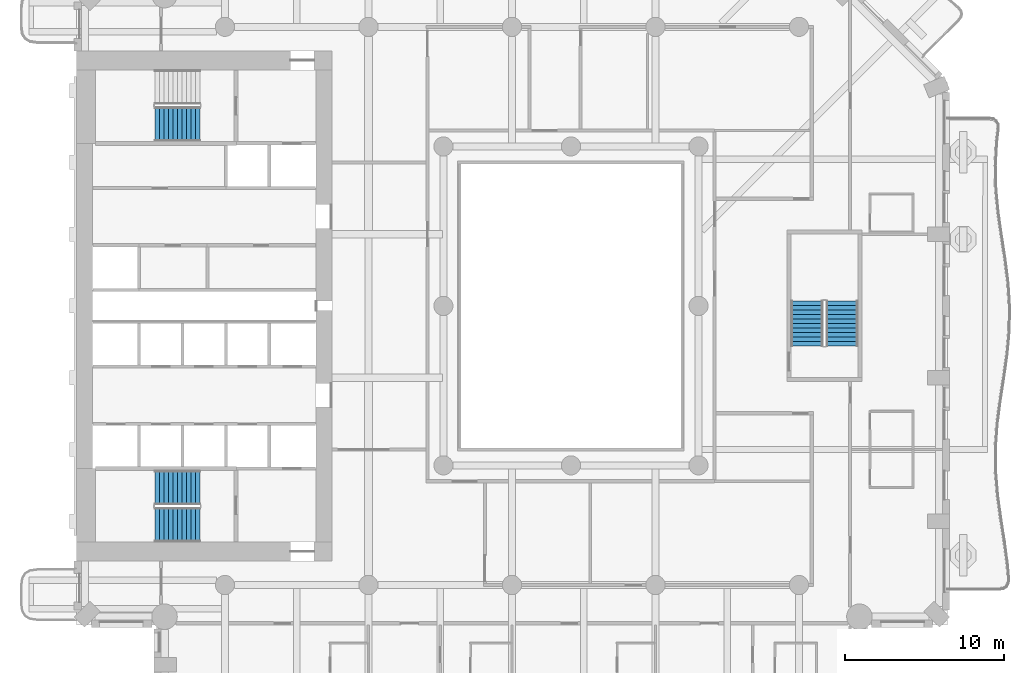
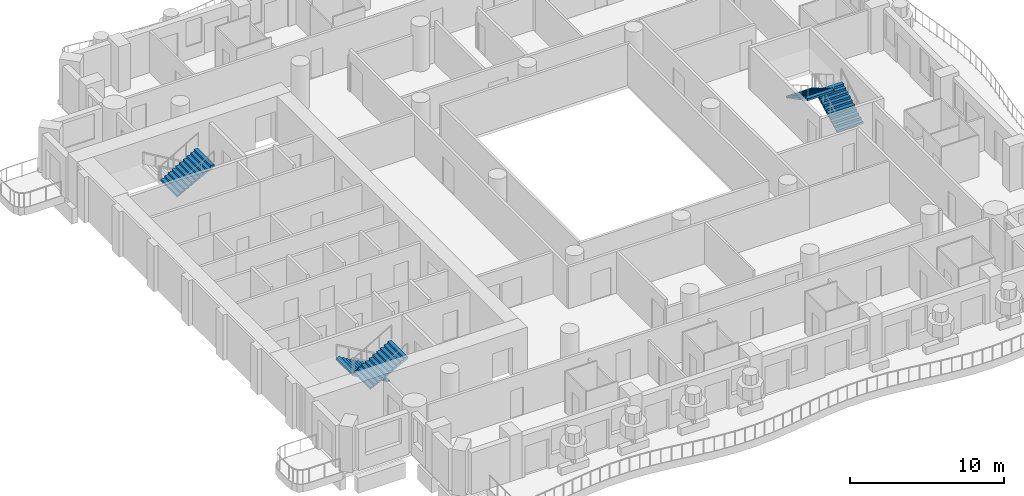
# One storey, part 10 of 19: 5 stair flights, 3 elements without a shape of their own.
"""IFC4 building model written with IfcOpenShell, lengths in metres."""

from ifc_helpers import new_model, si_unit, direction, frame, origin, place, context, subcontext, project, spatial, triangles, material, type_object, element, aggregate, save


model = new_model("IFC4")

# Units and contexts
model_context = context("Model", 3, precision=1e-05, world=origin(), true_north=direction((0.0, 1.0)))
body_context = subcontext(model_context, "Body", "Model", "MODEL_VIEW")
ifc_project = project(units=[si_unit("LENGTHUNIT", "METRE"), si_unit("AREAUNIT", "SQUARE_METRE"), si_unit("VOLUMEUNIT", "CUBIC_METRE"), si_unit("PLANEANGLEUNIT", "RADIAN"), si_unit("MASSUNIT", "GRAM", prefix="KILO")], contexts=[model_context])

# Site, building, storey
site_placement = place(None, origin())
site = spatial("IfcSite", under=ifc_project, at=site_placement, CompositionType="ELEMENT")
building_placement = place(site_placement, origin())
building = spatial("IfcBuilding", under=site, at=building_placement, Name="Cypress Arch Tower", CompositionType="ELEMENT")
storey_placement = place(building_placement, frame((0.0, 0.0, 98.699951171875)))
storey = spatial("IfcBuildingStorey", under=building, at=storey_placement, Name="L19", CompositionType="ELEMENT", Elevation=98.699951171875)

# Stair, stair flights
ifc_material_1 = material(Name="Concrete C40/50", Category="concrete")
stair_type_1 = type_object("IfcStairType", Name="Exit stair ES1636-200", PredefinedType="HALF_TURN_STAIR", material=ifc_material_1)
stair_1_placement = place(storey_placement, origin())
stair_1 = element("IfcStair", 1, at=stair_1_placement, inside=storey, type_object=stair_type_1, Name="L19 Exit stair C", PredefinedType="HALF_TURN_STAIR")
ifc_material_2 = material(Name="Concrete C40/50", Category="concrete")
stair_flight_type_1 = type_object("IfcStairFlightType", Name="Exit stair flight ES1636-200", PredefinedType="STRAIGHT", material=ifc_material_2)
stair_flight_1_placement = place(storey_placement, frame((18.0, -2.5, 0.0), z_axis=(0.0, 0.0, 1.0), x_axis=(0.0, 1.0, 0.0)))
stair_flight_1 = element("IfcStairFlight", 2, at=stair_flight_1_placement, type_object=stair_flight_type_1, Name="C flight 1", NumberOfRisers=11, NumberOfTreads=10, PredefinedType="STRAIGHT", RiserHeight=0.163636364, TreadLength=0.28, context=body_context, shape_type="Tessellation", body=[
    triangles([(0.0, -1.0, 0.0), (0.00048828125, -1.0, 0.054443359375), (0.00048828125, -1.0, 0.109130859375), (0.0, -1.0, 0.16357421875), (0.280029296875, -1.0, 0.16357421875), (0.280029296875, -1.0, 0.327392578125), (0.56005859375, -1.0, 0.327392578125), (0.56005859375, -1.0, 0.490966796875), (0.840087890625, -1.0, 0.490966796875), (0.840087890625, -1.0, 0.654541015625), (1.1201171875, -1.0, 0.654541015625), (1.1201171875, -1.0, 0.818115234375), (1.39990234375, -1.0, 0.818115234375), (1.39990234375, -1.0, 0.98193359375), (1.679931640625, -1.0, 0.98193359375), (1.679931640625, -1.0, 1.1455078125), (1.9599609375, -1.0, 1.1455078125), (1.9599609375, -1.0, 1.30908203125), (2.239990234375, -1.0, 1.30908203125), (2.239990234375, -1.0, 1.47265625), (2.52001953125, -1.0, 1.47265625), (2.52001953125, -1.0, 1.636474609375), (2.800048828125, -1.0, 1.636474609375), (2.799560546875, -1.0, 1.57861328125), (2.799560546875, -1.0, 1.5205078125), (2.800048828125, -1.0, 1.462646484375), (2.800048828125, 1.0, 1.462646484375), (2.799560546875, 1.0, 1.5205078125), (2.799560546875, 1.0, 1.57861328125), (2.800048828125, 1.0, 1.636474609375), (2.52001953125, 1.0, 1.636474609375), (2.52001953125, 1.0, 1.47265625), (2.239990234375, 1.0, 1.47265625), (2.239990234375, 1.0, 1.30908203125), (1.9599609375, 1.0, 1.30908203125), (1.9599609375, 1.0, 1.1455078125), (1.679931640625, 1.0, 1.1455078125), (1.679931640625, 1.0, 0.98193359375), (1.39990234375, 1.0, 0.98193359375), (1.39990234375, 1.0, 0.818115234375), (1.1201171875, 1.0, 0.818115234375), (1.1201171875, 1.0, 0.654541015625), (0.840087890625, 1.0, 0.654541015625), (0.840087890625, 1.0, 0.490966796875), (0.56005859375, 1.0, 0.490966796875), (0.56005859375, 1.0, 0.327392578125), (0.280029296875, 1.0, 0.327392578125), (0.280029296875, 1.0, 0.16357421875), (0.0, 1.0, 0.16357421875), (0.00048828125, 1.0, 0.109130859375), (0.00048828125, 1.0, 0.054443359375), (0.0, 1.0, 0.0), (2.799560546875, 0.0, 1.5205078125), (2.800048828125, 0.0, 1.462646484375), (2.799560546875, 0.0, 1.57861328125), (2.800048828125, 0.0, 1.636474609375), (2.52001953125, 0.0, 1.636474609375), (2.52001953125, 0.0, 1.47265625), (2.239990234375, 0.0, 1.47265625), (2.239990234375, 0.0, 1.30908203125), (1.9599609375, 0.0, 1.30908203125), (1.9599609375, 0.0, 1.1455078125), (1.679931640625, 0.0, 1.1455078125), (1.679931640625, 0.0, 0.98193359375), (1.39990234375, 0.0, 0.98193359375), (1.39990234375, 0.0, 0.818115234375), (1.1201171875, 0.0, 0.818115234375), (1.1201171875, 0.0, 0.654541015625), (0.840087890625, 0.0, 0.654541015625), (0.840087890625, 0.0, 0.490966796875), (0.56005859375, 0.0, 0.490966796875), (0.56005859375, 0.0, 0.327392578125), (0.280029296875, 0.0, 0.327392578125), (0.280029296875, 0.0, 0.16357421875), (0.0, 0.0, 0.16357421875), (0.00048828125, 0.0, 0.109130859375), (0.00048828125, 0.0, 0.054443359375), (0.0, 0.0, 0.0)], [[26, 25, 22], [25, 24, 22], [24, 23, 22], [15, 14, 13], [7, 6, 5], [13, 12, 11], [21, 20, 19], [19, 18, 17], [17, 16, 15], [11, 10, 9], [9, 8, 7], [4, 3, 5], [3, 2, 5], [2, 1, 5], [26, 22, 21], [26, 21, 19], [26, 19, 17], [26, 17, 15], [26, 15, 13], [26, 13, 11], [26, 11, 9], [26, 9, 7], [26, 7, 5], [26, 5, 1], [27, 31, 28], [28, 31, 29], [29, 31, 30], [38, 40, 39], [46, 48, 47], [40, 42, 41], [32, 34, 33], [34, 36, 35], [36, 38, 37], [42, 44, 43], [44, 46, 45], [49, 48, 50], [50, 48, 51], [51, 48, 52], [27, 32, 31], [27, 34, 32], [27, 36, 34], [27, 38, 36], [27, 40, 38], [27, 42, 40], [27, 44, 42], [27, 46, 44], [27, 48, 46], [27, 52, 48], [54, 53, 25], [54, 25, 26], [27, 28, 53], [27, 53, 54], [53, 55, 24], [53, 24, 25], [28, 29, 55], [28, 55, 53], [55, 56, 23], [55, 23, 24], [29, 30, 56], [29, 56, 55], [56, 57, 22], [56, 22, 23], [30, 31, 57], [30, 57, 56], [57, 58, 21], [57, 21, 22], [31, 32, 58], [31, 58, 57], [58, 59, 20], [58, 20, 21], [32, 33, 59], [32, 59, 58], [59, 60, 19], [59, 19, 20], [33, 34, 60], [33, 60, 59], [60, 61, 18], [60, 18, 19], [34, 35, 61], [34, 61, 60], [61, 62, 17], [61, 17, 18], [35, 36, 62], [35, 62, 61], [62, 63, 16], [62, 16, 17], [36, 37, 63], [36, 63, 62], [63, 64, 15], [63, 15, 16], [37, 38, 64], [37, 64, 63], [64, 65, 14], [64, 14, 15], [38, 39, 65], [38, 65, 64], [65, 66, 13], [65, 13, 14], [39, 40, 66], [39, 66, 65], [66, 67, 12], [66, 12, 13], [40, 41, 67], [40, 67, 66], [67, 68, 11], [67, 11, 12], [41, 42, 68], [41, 68, 67], [68, 69, 10], [68, 10, 11], [42, 43, 69], [42, 69, 68], [69, 70, 9], [69, 9, 10], [43, 44, 70], [43, 70, 69], [70, 71, 8], [70, 8, 9], [44, 45, 71], [44, 71, 70], [71, 72, 7], [71, 7, 8], [45, 46, 72], [45, 72, 71], [72, 73, 6], [72, 6, 7], [46, 47, 73], [46, 73, 72], [73, 74, 5], [73, 5, 6], [47, 48, 74], [47, 74, 73], [74, 75, 4], [74, 4, 5], [48, 49, 75], [48, 75, 74], [75, 76, 3], [75, 3, 4], [49, 50, 76], [49, 76, 75], [76, 77, 2], [76, 2, 3], [50, 51, 77], [50, 77, 76], [77, 78, 1], [77, 1, 2], [51, 52, 78], [51, 78, 77], [78, 54, 26], [78, 26, 1], [52, 27, 54], [52, 54, 78]], closed=True),
])
stair_flight_2_placement = place(storey_placement, frame((15.800048828125, 0.300048828125, 1.800048828125), z_axis=(0.0, 0.0, 1.0), x_axis=(0.0, -1.0, 0.0)))
stair_flight_2 = element("IfcStairFlight", 3, at=stair_flight_2_placement, type_object=stair_flight_type_1, Name="C flight 2", NumberOfRisers=11, NumberOfTreads=10, PredefinedType="STRAIGHT", RiserHeight=0.163636364, TreadLength=0.28, context=body_context, shape_type="Tessellation", body=[
    triangles([(0.0, -1.0, 0.0), (0.00048828125, -1.0, 0.054443359375), (0.00048828125, -1.0, 0.109130859375), (0.0, -1.0, 0.16357421875), (0.280029296875, -1.0, 0.16357421875), (0.280029296875, -1.0, 0.327392578125), (0.56005859375, -1.0, 0.327392578125), (0.56005859375, -1.0, 0.490966796875), (0.840087890625, -1.0, 0.490966796875), (0.840087890625, -1.0, 0.654541015625), (1.1201171875, -1.0, 0.654541015625), (1.1201171875, -1.0, 0.818115234375), (1.39990234375, -1.0, 0.818115234375), (1.39990234375, -1.0, 0.98193359375), (1.679931640625, -1.0, 0.98193359375), (1.679931640625, -1.0, 1.1455078125), (1.9599609375, -1.0, 1.1455078125), (1.9599609375, -1.0, 1.30908203125), (2.239990234375, -1.0, 1.30908203125), (2.239990234375, -1.0, 1.47265625), (2.52001953125, -1.0, 1.47265625), (2.52001953125, -1.0, 1.636474609375), (2.800048828125, -1.0, 1.636474609375), (2.799560546875, -1.0, 1.57861328125), (2.799560546875, -1.0, 1.5205078125), (2.800048828125, -1.0, 1.462646484375), (2.800048828125, 1.0, 1.462646484375), (2.799560546875, 1.0, 1.5205078125), (2.799560546875, 1.0, 1.57861328125), (2.800048828125, 1.0, 1.636474609375), (2.52001953125, 1.0, 1.636474609375), (2.52001953125, 1.0, 1.47265625), (2.239990234375, 1.0, 1.47265625), (2.239990234375, 1.0, 1.30908203125), (1.9599609375, 1.0, 1.30908203125), (1.9599609375, 1.0, 1.1455078125), (1.679931640625, 1.0, 1.1455078125), (1.679931640625, 1.0, 0.98193359375), (1.39990234375, 1.0, 0.98193359375), (1.39990234375, 1.0, 0.818115234375), (1.1201171875, 1.0, 0.818115234375), (1.1201171875, 1.0, 0.654541015625), (0.840087890625, 1.0, 0.654541015625), (0.840087890625, 1.0, 0.490966796875), (0.56005859375, 1.0, 0.490966796875), (0.56005859375, 1.0, 0.327392578125), (0.280029296875, 1.0, 0.327392578125), (0.280029296875, 1.0, 0.16357421875), (0.0, 1.0, 0.16357421875), (0.00048828125, 1.0, 0.109130859375), (0.00048828125, 1.0, 0.054443359375), (0.0, 1.0, 0.0), (2.799560546875, 0.0, 1.5205078125), (2.800048828125, 0.0, 1.462646484375), (2.799560546875, 0.0, 1.57861328125), (2.800048828125, 0.0, 1.636474609375), (2.52001953125, 0.0, 1.636474609375), (2.52001953125, 0.0, 1.47265625), (2.239990234375, 0.0, 1.47265625), (2.239990234375, 0.0, 1.30908203125), (1.9599609375, 0.0, 1.30908203125), (1.9599609375, 0.0, 1.1455078125), (1.679931640625, 0.0, 1.1455078125), (1.679931640625, 0.0, 0.98193359375), (1.39990234375, 0.0, 0.98193359375), (1.39990234375, 0.0, 0.818115234375), (1.1201171875, 0.0, 0.818115234375), (1.1201171875, 0.0, 0.654541015625), (0.840087890625, 0.0, 0.654541015625), (0.840087890625, 0.0, 0.490966796875), (0.56005859375, 0.0, 0.490966796875), (0.56005859375, 0.0, 0.327392578125), (0.280029296875, 0.0, 0.327392578125), (0.280029296875, 0.0, 0.16357421875), (0.0, 0.0, 0.16357421875), (0.00048828125, 0.0, 0.109130859375), (0.00048828125, 0.0, 0.054443359375), (0.0, 0.0, 0.0)], [[26, 25, 22], [25, 24, 22], [24, 23, 22], [15, 14, 13], [7, 6, 5], [13, 12, 11], [21, 20, 19], [19, 18, 17], [17, 16, 15], [11, 10, 9], [9, 8, 7], [4, 3, 5], [3, 2, 5], [2, 1, 5], [26, 22, 21], [26, 21, 19], [26, 19, 17], [26, 17, 15], [26, 15, 13], [26, 13, 11], [26, 11, 9], [26, 9, 7], [26, 7, 5], [26, 5, 1], [27, 31, 28], [28, 31, 29], [29, 31, 30], [38, 40, 39], [46, 48, 47], [40, 42, 41], [32, 34, 33], [34, 36, 35], [36, 38, 37], [42, 44, 43], [44, 46, 45], [49, 48, 50], [50, 48, 51], [51, 48, 52], [27, 32, 31], [27, 34, 32], [27, 36, 34], [27, 38, 36], [27, 40, 38], [27, 42, 40], [27, 44, 42], [27, 46, 44], [27, 48, 46], [27, 52, 48], [54, 53, 25], [54, 25, 26], [27, 28, 53], [27, 53, 54], [53, 55, 24], [53, 24, 25], [28, 29, 55], [28, 55, 53], [55, 56, 23], [55, 23, 24], [29, 30, 56], [29, 56, 55], [56, 57, 22], [56, 22, 23], [30, 31, 57], [30, 57, 56], [57, 58, 21], [57, 21, 22], [31, 32, 58], [31, 58, 57], [58, 59, 20], [58, 20, 21], [32, 33, 59], [32, 59, 58], [59, 60, 19], [59, 19, 20], [33, 34, 60], [33, 60, 59], [60, 61, 18], [60, 18, 19], [34, 35, 61], [34, 61, 60], [61, 62, 17], [61, 17, 18], [35, 36, 62], [35, 62, 61], [62, 63, 16], [62, 16, 17], [36, 37, 63], [36, 63, 62], [63, 64, 15], [63, 15, 16], [37, 38, 64], [37, 64, 63], [64, 65, 14], [64, 14, 15], [38, 39, 65], [38, 65, 64], [65, 66, 13], [65, 13, 14], [39, 40, 66], [39, 66, 65], [66, 67, 12], [66, 12, 13], [40, 41, 67], [40, 67, 66], [67, 68, 11], [67, 11, 12], [41, 42, 68], [41, 68, 67], [68, 69, 10], [68, 10, 11], [42, 43, 69], [42, 69, 68], [69, 70, 9], [69, 9, 10], [43, 44, 70], [43, 70, 69], [70, 71, 8], [70, 8, 9], [44, 45, 71], [44, 71, 70], [71, 72, 7], [71, 7, 8], [45, 46, 72], [45, 72, 71], [72, 73, 6], [72, 6, 7], [46, 47, 73], [46, 73, 72], [73, 74, 5], [73, 5, 6], [47, 48, 74], [47, 74, 73], [74, 75, 4], [74, 4, 5], [48, 49, 75], [48, 75, 74], [75, 76, 3], [75, 3, 4], [49, 50, 76], [49, 76, 75], [76, 77, 2], [76, 2, 3], [50, 51, 77], [50, 77, 76], [77, 78, 1], [77, 1, 2], [51, 52, 78], [51, 78, 77], [78, 54, 26], [78, 26, 1], [52, 27, 54], [52, 54, 78]], closed=True),
])
aggregate(stair_1, [stair_flight_1, stair_flight_2])

ifc_material_3 = material(Name="Concrete C40/50", Category="concrete")
stair_type_2 = type_object("IfcStairType", Name="Exit stair ES1636-215", PredefinedType="HALF_TURN_STAIR", material=ifc_material_3)
stair_2_placement = place(storey_placement, origin())
stair_2 = element("IfcStair", 4, at=stair_2_placement, inside=storey, type_object=stair_type_2, Name="L19 Exit stair A", PredefinedType="HALF_TURN_STAIR")
ifc_material_4 = material(Name="Concrete C40/50", Category="concrete")
stair_flight_type_2 = type_object("IfcStairFlightType", Name="Exit stair flight ES1636-215", PredefinedType="STRAIGHT", material=ifc_material_4)
stair_flight_3_placement = place(storey_placement, frame((-22.27490234375, -11.39990234375, 0.0), z_axis=(0.0, 0.0, 1.0), x_axis=(-1.0, 0.0, 0.0)))
stair_flight_3 = element("IfcStairFlight", 5, at=stair_flight_3_placement, type_object=stair_flight_type_2, Name="A flight 1", NumberOfRisers=11, NumberOfTreads=10, PredefinedType="STRAIGHT", RiserHeight=0.163636364, TreadLength=0.28, context=body_context, shape_type="Tessellation", body=[
    triangles([(0.0, -1.074951171875, 0.0), (0.000244140625, -1.074951171875, 0.03271484375), (0.00048828125, -1.074951171875, 0.0654296875), (0.00048828125, -1.074951171875, 0.09814453125), (0.000244140625, -1.074951171875, 0.130859375), (0.0, -1.074951171875, 0.16357421875), (0.280029296875, -1.074951171875, 0.16357421875), (0.280029296875, -1.074951171875, 0.327392578125), (0.56005859375, -1.074951171875, 0.327392578125), (0.56005859375, -1.074951171875, 0.490966796875), (0.840087890625, -1.074951171875, 0.490966796875), (0.840087890625, -1.074951171875, 0.654541015625), (1.1201171875, -1.074951171875, 0.654541015625), (1.1201171875, -1.074951171875, 0.818115234375), (1.39990234375, -1.074951171875, 0.818115234375), (1.39990234375, -1.074951171875, 0.98193359375), (1.679931640625, -1.074951171875, 0.98193359375), (1.679931640625, -1.074951171875, 1.1455078125), (1.9599609375, -1.074951171875, 1.1455078125), (1.9599609375, -1.074951171875, 1.30908203125), (2.239990234375, -1.074951171875, 1.30908203125), (2.239990234375, -1.074951171875, 1.47265625), (2.52001953125, -1.074951171875, 1.47265625), (2.52001953125, -1.074951171875, 1.636474609375), (2.800048828125, -1.074951171875, 1.636474609375), (2.7998046875, -1.074951171875, 1.601806640625), (2.799560546875, -1.074951171875, 1.56689453125), (2.799560546875, -1.074951171875, 1.5322265625), (2.7998046875, -1.074951171875, 1.497314453125), (2.800048828125, -1.074951171875, 1.462646484375), (2.800048828125, 1.074951171875, 1.462646484375), (2.7998046875, 1.074951171875, 1.497314453125), (2.799560546875, 1.074951171875, 1.5322265625), (2.799560546875, 1.074951171875, 1.56689453125), (2.7998046875, 1.074951171875, 1.601806640625), (2.800048828125, 1.074951171875, 1.636474609375), (2.52001953125, 1.074951171875, 1.636474609375), (2.52001953125, 1.074951171875, 1.47265625), (2.239990234375, 1.074951171875, 1.47265625), (2.239990234375, 1.074951171875, 1.30908203125), (1.9599609375, 1.074951171875, 1.30908203125), (1.9599609375, 1.074951171875, 1.1455078125), (1.679931640625, 1.074951171875, 1.1455078125), (1.679931640625, 1.074951171875, 0.98193359375), (1.39990234375, 1.074951171875, 0.98193359375), (1.39990234375, 1.074951171875, 0.818115234375), (1.1201171875, 1.074951171875, 0.818115234375), (1.1201171875, 1.074951171875, 0.654541015625), (0.840087890625, 1.074951171875, 0.654541015625), (0.840087890625, 1.074951171875, 0.490966796875), (0.56005859375, 1.074951171875, 0.490966796875), (0.56005859375, 1.074951171875, 0.327392578125), (0.280029296875, 1.074951171875, 0.327392578125), (0.280029296875, 1.074951171875, 0.16357421875), (0.0, 1.074951171875, 0.16357421875), (0.000244140625, 1.074951171875, 0.130859375), (0.00048828125, 1.074951171875, 0.09814453125), (0.00048828125, 1.074951171875, 0.0654296875), (0.000244140625, 1.074951171875, 0.03271484375), (0.0, 1.074951171875, 0.0), (2.7998046875, 0.0, 1.497314453125), (2.800048828125, 0.0, 1.462646484375), (2.799560546875, 0.0, 1.5322265625), (2.799560546875, 0.0, 1.56689453125), (2.7998046875, 0.0, 1.601806640625), (2.800048828125, 0.0, 1.636474609375), (2.52001953125, 0.0, 1.636474609375), (2.52001953125, 0.0, 1.47265625), (2.239990234375, 0.0, 1.47265625), (2.239990234375, 0.0, 1.30908203125), (1.9599609375, 0.0, 1.30908203125), (1.9599609375, 0.0, 1.1455078125), (1.679931640625, 0.0, 1.1455078125), (1.679931640625, 0.0, 0.98193359375), (1.39990234375, 0.0, 0.98193359375), (1.39990234375, 0.0, 0.818115234375), (1.1201171875, 0.0, 0.818115234375), (1.1201171875, 0.0, 0.654541015625), (0.840087890625, 0.0, 0.654541015625), (0.840087890625, 0.0, 0.490966796875), (0.56005859375, 0.0, 0.490966796875), (0.56005859375, 0.0, 0.327392578125), (0.280029296875, 0.0, 0.327392578125), (0.280029296875, 0.0, 0.16357421875), (0.0, 0.0, 0.16357421875), (0.000244140625, 0.0, 0.130859375), (0.00048828125, 0.0, 0.09814453125), (0.00048828125, 0.0, 0.0654296875), (0.000244140625, 0.0, 0.03271484375), (0.0, 0.0, 0.0)], [[30, 29, 24], [29, 28, 24], [28, 27, 24], [27, 26, 24], [26, 25, 24], [17, 16, 15], [9, 8, 7], [15, 14, 13], [23, 22, 21], [21, 20, 19], [19, 18, 17], [13, 12, 11], [11, 10, 9], [6, 5, 7], [5, 4, 7], [4, 3, 7], [3, 2, 7], [2, 1, 7], [30, 24, 23], [30, 23, 21], [30, 21, 19], [30, 19, 17], [30, 17, 15], [30, 15, 13], [30, 13, 11], [30, 11, 9], [30, 9, 7], [30, 7, 1], [31, 37, 32], [32, 37, 33], [33, 37, 34], [34, 37, 35], [35, 37, 36], [44, 46, 45], [52, 54, 53], [46, 48, 47], [38, 40, 39], [40, 42, 41], [42, 44, 43], [48, 50, 49], [50, 52, 51], [55, 54, 56], [56, 54, 57], [57, 54, 58], [58, 54, 59], [59, 54, 60], [31, 38, 37], [31, 40, 38], [31, 42, 40], [31, 44, 42], [31, 46, 44], [31, 48, 46], [31, 50, 48], [31, 52, 50], [31, 54, 52], [31, 60, 54], [62, 61, 29], [62, 29, 30], [31, 32, 61], [31, 61, 62], [61, 63, 28], [61, 28, 29], [32, 33, 63], [32, 63, 61], [63, 64, 27], [63, 27, 28], [33, 34, 64], [33, 64, 63], [64, 65, 26], [64, 26, 27], [34, 35, 65], [34, 65, 64], [65, 66, 25], [65, 25, 26], [35, 36, 66], [35, 66, 65], [66, 67, 24], [66, 24, 25], [36, 37, 67], [36, 67, 66], [67, 68, 23], [67, 23, 24], [37, 38, 68], [37, 68, 67], [68, 69, 22], [68, 22, 23], [38, 39, 69], [38, 69, 68], [69, 70, 21], [69, 21, 22], [39, 40, 70], [39, 70, 69], [70, 71, 20], [70, 20, 21], [40, 41, 71], [40, 71, 70], [71, 72, 19], [71, 19, 20], [41, 42, 72], [41, 72, 71], [72, 73, 18], [72, 18, 19], [42, 43, 73], [42, 73, 72], [73, 74, 17], [73, 17, 18], [43, 44, 74], [43, 74, 73], [74, 75, 16], [74, 16, 17], [44, 45, 75], [44, 75, 74], [75, 76, 15], [75, 15, 16], [45, 46, 76], [45, 76, 75], [76, 77, 14], [76, 14, 15], [46, 47, 77], [46, 77, 76], [77, 78, 13], [77, 13, 14], [47, 48, 78], [47, 78, 77], [78, 79, 12], [78, 12, 13], [48, 49, 79], [48, 79, 78], [79, 80, 11], [79, 11, 12], [49, 50, 80], [49, 80, 79], [80, 81, 10], [80, 10, 11], [50, 51, 81], [50, 81, 80], [81, 82, 9], [81, 9, 10], [51, 52, 82], [51, 82, 81], [82, 83, 8], [82, 8, 9], [52, 53, 83], [52, 83, 82], [83, 84, 7], [83, 7, 8], [53, 54, 84], [53, 84, 83], [84, 85, 6], [84, 6, 7], [54, 55, 85], [54, 85, 84], [85, 86, 5], [85, 5, 6], [55, 56, 86], [55, 86, 85], [86, 87, 4], [86, 4, 5], [56, 57, 87], [56, 87, 86], [87, 88, 3], [87, 3, 4], [57, 58, 88], [57, 88, 87], [88, 89, 2], [88, 2, 3], [58, 59, 89], [58, 89, 88], [89, 90, 1], [89, 1, 2], [59, 60, 90], [59, 90, 89], [90, 62, 30], [90, 30, 1], [60, 31, 62], [60, 62, 90]], closed=True),
])
stair_flight_4_placement = place(storey_placement, frame((-25.074951171875, -13.72509765625, 1.800048828125), z_axis=(0.0, 0.0, 1.0), x_axis=(1.0, 0.0, 0.0)))
stair_flight_4 = element("IfcStairFlight", 6, at=stair_flight_4_placement, type_object=stair_flight_type_2, Name="A flight 2", NumberOfRisers=11, NumberOfTreads=10, PredefinedType="STRAIGHT", RiserHeight=0.163636364, TreadLength=0.28, context=body_context, shape_type="Tessellation", body=[
    triangles([(0.0, -1.074951171875, 0.0), (0.000244140625, -1.074951171875, 0.03271484375), (0.00048828125, -1.074951171875, 0.0654296875), (0.00048828125, -1.074951171875, 0.09814453125), (0.000244140625, -1.074951171875, 0.130859375), (0.0, -1.074951171875, 0.16357421875), (0.280029296875, -1.074951171875, 0.16357421875), (0.280029296875, -1.074951171875, 0.327392578125), (0.56005859375, -1.074951171875, 0.327392578125), (0.56005859375, -1.074951171875, 0.490966796875), (0.840087890625, -1.074951171875, 0.490966796875), (0.840087890625, -1.074951171875, 0.654541015625), (1.1201171875, -1.074951171875, 0.654541015625), (1.1201171875, -1.074951171875, 0.818115234375), (1.39990234375, -1.074951171875, 0.818115234375), (1.39990234375, -1.074951171875, 0.98193359375), (1.679931640625, -1.074951171875, 0.98193359375), (1.679931640625, -1.074951171875, 1.1455078125), (1.9599609375, -1.074951171875, 1.1455078125), (1.9599609375, -1.074951171875, 1.30908203125), (2.239990234375, -1.074951171875, 1.30908203125), (2.239990234375, -1.074951171875, 1.47265625), (2.52001953125, -1.074951171875, 1.47265625), (2.52001953125, -1.074951171875, 1.636474609375), (2.800048828125, -1.074951171875, 1.636474609375), (2.7998046875, -1.074951171875, 1.601806640625), (2.799560546875, -1.074951171875, 1.56689453125), (2.799560546875, -1.074951171875, 1.5322265625), (2.7998046875, -1.074951171875, 1.497314453125), (2.800048828125, -1.074951171875, 1.462646484375), (2.800048828125, 1.074951171875, 1.462646484375), (2.7998046875, 1.074951171875, 1.497314453125), (2.799560546875, 1.074951171875, 1.5322265625), (2.799560546875, 1.074951171875, 1.56689453125), (2.7998046875, 1.074951171875, 1.601806640625), (2.800048828125, 1.074951171875, 1.636474609375), (2.52001953125, 1.074951171875, 1.636474609375), (2.52001953125, 1.074951171875, 1.47265625), (2.239990234375, 1.074951171875, 1.47265625), (2.239990234375, 1.074951171875, 1.30908203125), (1.9599609375, 1.074951171875, 1.30908203125), (1.9599609375, 1.074951171875, 1.1455078125), (1.679931640625, 1.074951171875, 1.1455078125), (1.679931640625, 1.074951171875, 0.98193359375), (1.39990234375, 1.074951171875, 0.98193359375), (1.39990234375, 1.074951171875, 0.818115234375), (1.1201171875, 1.074951171875, 0.818115234375), (1.1201171875, 1.074951171875, 0.654541015625), (0.840087890625, 1.074951171875, 0.654541015625), (0.840087890625, 1.074951171875, 0.490966796875), (0.56005859375, 1.074951171875, 0.490966796875), (0.56005859375, 1.074951171875, 0.327392578125), (0.280029296875, 1.074951171875, 0.327392578125), (0.280029296875, 1.074951171875, 0.16357421875), (0.0, 1.074951171875, 0.16357421875), (0.000244140625, 1.074951171875, 0.130859375), (0.00048828125, 1.074951171875, 0.09814453125), (0.00048828125, 1.074951171875, 0.0654296875), (0.000244140625, 1.074951171875, 0.03271484375), (0.0, 1.074951171875, 0.0), (2.7998046875, 0.0, 1.497314453125), (2.800048828125, 0.0, 1.462646484375), (2.799560546875, 0.0, 1.5322265625), (2.799560546875, 0.0, 1.56689453125), (2.7998046875, 0.0, 1.601806640625), (2.800048828125, 0.0, 1.636474609375), (2.52001953125, 0.0, 1.636474609375), (2.52001953125, 0.0, 1.47265625), (2.239990234375, 0.0, 1.47265625), (2.239990234375, 0.0, 1.30908203125), (1.9599609375, 0.0, 1.30908203125), (1.9599609375, 0.0, 1.1455078125), (1.679931640625, 0.0, 1.1455078125), (1.679931640625, 0.0, 0.98193359375), (1.39990234375, 0.0, 0.98193359375), (1.39990234375, 0.0, 0.818115234375), (1.1201171875, 0.0, 0.818115234375), (1.1201171875, 0.0, 0.654541015625), (0.840087890625, 0.0, 0.654541015625), (0.840087890625, 0.0, 0.490966796875), (0.56005859375, 0.0, 0.490966796875), (0.56005859375, 0.0, 0.327392578125), (0.280029296875, 0.0, 0.327392578125), (0.280029296875, 0.0, 0.16357421875), (0.0, 0.0, 0.16357421875), (0.000244140625, 0.0, 0.130859375), (0.00048828125, 0.0, 0.09814453125), (0.00048828125, 0.0, 0.0654296875), (0.000244140625, 0.0, 0.03271484375), (0.0, 0.0, 0.0)], [[30, 29, 24], [29, 28, 24], [28, 27, 24], [27, 26, 24], [26, 25, 24], [17, 16, 15], [9, 8, 7], [15, 14, 13], [23, 22, 21], [21, 20, 19], [19, 18, 17], [13, 12, 11], [11, 10, 9], [6, 5, 7], [5, 4, 7], [4, 3, 7], [3, 2, 7], [2, 1, 7], [30, 24, 23], [30, 23, 21], [30, 21, 19], [30, 19, 17], [30, 17, 15], [30, 15, 13], [30, 13, 11], [30, 11, 9], [30, 9, 7], [30, 7, 1], [31, 37, 32], [32, 37, 33], [33, 37, 34], [34, 37, 35], [35, 37, 36], [44, 46, 45], [52, 54, 53], [46, 48, 47], [38, 40, 39], [40, 42, 41], [42, 44, 43], [48, 50, 49], [50, 52, 51], [55, 54, 56], [56, 54, 57], [57, 54, 58], [58, 54, 59], [59, 54, 60], [31, 38, 37], [31, 40, 38], [31, 42, 40], [31, 44, 42], [31, 46, 44], [31, 48, 46], [31, 50, 48], [31, 52, 50], [31, 54, 52], [31, 60, 54], [62, 61, 29], [62, 29, 30], [31, 32, 61], [31, 61, 62], [61, 63, 28], [61, 28, 29], [32, 33, 63], [32, 63, 61], [63, 64, 27], [63, 27, 28], [33, 34, 64], [33, 64, 63], [64, 65, 26], [64, 26, 27], [34, 35, 65], [34, 65, 64], [65, 66, 25], [65, 25, 26], [35, 36, 66], [35, 66, 65], [66, 67, 24], [66, 24, 25], [36, 37, 67], [36, 67, 66], [67, 68, 23], [67, 23, 24], [37, 38, 68], [37, 68, 67], [68, 69, 22], [68, 22, 23], [38, 39, 69], [38, 69, 68], [69, 70, 21], [69, 21, 22], [39, 40, 70], [39, 70, 69], [70, 71, 20], [70, 20, 21], [40, 41, 71], [40, 71, 70], [71, 72, 19], [71, 19, 20], [41, 42, 72], [41, 72, 71], [72, 73, 18], [72, 18, 19], [42, 43, 73], [42, 73, 72], [73, 74, 17], [73, 17, 18], [43, 44, 74], [43, 74, 73], [74, 75, 16], [74, 16, 17], [44, 45, 75], [44, 75, 74], [75, 76, 15], [75, 15, 16], [45, 46, 76], [45, 76, 75], [76, 77, 14], [76, 14, 15], [46, 47, 77], [46, 77, 76], [77, 78, 13], [77, 13, 14], [47, 48, 78], [47, 78, 77], [78, 79, 12], [78, 12, 13], [48, 49, 79], [48, 79, 78], [79, 80, 11], [79, 11, 12], [49, 50, 80], [49, 80, 79], [80, 81, 10], [80, 10, 11], [50, 51, 81], [50, 81, 80], [81, 82, 9], [81, 9, 10], [51, 52, 82], [51, 82, 81], [82, 83, 8], [82, 8, 9], [52, 53, 83], [52, 83, 82], [83, 84, 7], [83, 7, 8], [53, 54, 84], [53, 84, 83], [84, 85, 6], [84, 6, 7], [54, 55, 85], [54, 85, 84], [85, 86, 5], [85, 5, 6], [55, 56, 86], [55, 86, 85], [86, 87, 4], [86, 4, 5], [56, 57, 87], [56, 87, 86], [87, 88, 3], [87, 3, 4], [57, 58, 88], [57, 88, 87], [88, 89, 2], [88, 2, 3], [58, 59, 89], [58, 89, 88], [89, 90, 1], [89, 1, 2], [59, 60, 90], [59, 90, 89], [90, 62, 30], [90, 30, 1], [60, 31, 62], [60, 62, 90]], closed=True),
])
aggregate(stair_2, [stair_flight_3, stair_flight_4])

# Stair, stair flight
stair_3_placement = place(storey_placement, origin())
stair_3 = element("IfcStair", 7, at=stair_3_placement, inside=storey, type_object=stair_type_2, Name="L19 Exit stair B", PredefinedType="HALF_TURN_STAIR")
stair_flight_5_placement = place(storey_placement, frame((-25.074951171875, 11.39990234375, 1.800048828125), z_axis=(0.0, 0.0, 1.0), x_axis=(1.0, 0.0, 0.0)))
stair_flight_5 = element("IfcStairFlight", 8, at=stair_flight_5_placement, type_object=stair_flight_type_2, Name="B flight 2", NumberOfRisers=11, NumberOfTreads=10, PredefinedType="STRAIGHT", RiserHeight=0.163636364, TreadLength=0.28, context=body_context, shape_type="Tessellation", body=[
    triangles([(0.0, -1.074951171875, 0.0), (0.000244140625, -1.074951171875, 0.03271484375), (0.00048828125, -1.074951171875, 0.0654296875), (0.00048828125, -1.074951171875, 0.09814453125), (0.000244140625, -1.074951171875, 0.130859375), (0.0, -1.074951171875, 0.16357421875), (0.280029296875, -1.074951171875, 0.16357421875), (0.280029296875, -1.074951171875, 0.327392578125), (0.56005859375, -1.074951171875, 0.327392578125), (0.56005859375, -1.074951171875, 0.490966796875), (0.840087890625, -1.074951171875, 0.490966796875), (0.840087890625, -1.074951171875, 0.654541015625), (1.1201171875, -1.074951171875, 0.654541015625), (1.1201171875, -1.074951171875, 0.818115234375), (1.39990234375, -1.074951171875, 0.818115234375), (1.39990234375, -1.074951171875, 0.98193359375), (1.679931640625, -1.074951171875, 0.98193359375), (1.679931640625, -1.074951171875, 1.1455078125), (1.9599609375, -1.074951171875, 1.1455078125), (1.9599609375, -1.074951171875, 1.30908203125), (2.239990234375, -1.074951171875, 1.30908203125), (2.239990234375, -1.074951171875, 1.47265625), (2.52001953125, -1.074951171875, 1.47265625), (2.52001953125, -1.074951171875, 1.636474609375), (2.800048828125, -1.074951171875, 1.636474609375), (2.7998046875, -1.074951171875, 1.601806640625), (2.799560546875, -1.074951171875, 1.56689453125), (2.799560546875, -1.074951171875, 1.5322265625), (2.7998046875, -1.074951171875, 1.497314453125), (2.800048828125, -1.074951171875, 1.462646484375), (2.800048828125, 1.074951171875, 1.462646484375), (2.7998046875, 1.074951171875, 1.497314453125), (2.799560546875, 1.074951171875, 1.5322265625), (2.799560546875, 1.074951171875, 1.56689453125), (2.7998046875, 1.074951171875, 1.601806640625), (2.800048828125, 1.074951171875, 1.636474609375), (2.52001953125, 1.074951171875, 1.636474609375), (2.52001953125, 1.074951171875, 1.47265625), (2.239990234375, 1.074951171875, 1.47265625), (2.239990234375, 1.074951171875, 1.30908203125), (1.9599609375, 1.074951171875, 1.30908203125), (1.9599609375, 1.074951171875, 1.1455078125), (1.679931640625, 1.074951171875, 1.1455078125), (1.679931640625, 1.074951171875, 0.98193359375), (1.39990234375, 1.074951171875, 0.98193359375), (1.39990234375, 1.074951171875, 0.818115234375), (1.1201171875, 1.074951171875, 0.818115234375), (1.1201171875, 1.074951171875, 0.654541015625), (0.840087890625, 1.074951171875, 0.654541015625), (0.840087890625, 1.074951171875, 0.490966796875), (0.56005859375, 1.074951171875, 0.490966796875), (0.56005859375, 1.074951171875, 0.327392578125), (0.280029296875, 1.074951171875, 0.327392578125), (0.280029296875, 1.074951171875, 0.16357421875), (0.0, 1.074951171875, 0.16357421875), (0.000244140625, 1.074951171875, 0.130859375), (0.00048828125, 1.074951171875, 0.09814453125), (0.00048828125, 1.074951171875, 0.0654296875), (0.000244140625, 1.074951171875, 0.03271484375), (0.0, 1.074951171875, 0.0), (2.7998046875, 0.0, 1.497314453125), (2.800048828125, 0.0, 1.462646484375), (2.799560546875, 0.0, 1.5322265625), (2.799560546875, 0.0, 1.56689453125), (2.7998046875, 0.0, 1.601806640625), (2.800048828125, 0.0, 1.636474609375), (2.52001953125, 0.0, 1.636474609375), (2.52001953125, 0.0, 1.47265625), (2.239990234375, 0.0, 1.47265625), (2.239990234375, 0.0, 1.30908203125), (1.9599609375, 0.0, 1.30908203125), (1.9599609375, 0.0, 1.1455078125), (1.679931640625, 0.0, 1.1455078125), (1.679931640625, 0.0, 0.98193359375), (1.39990234375, 0.0, 0.98193359375), (1.39990234375, 0.0, 0.818115234375), (1.1201171875, 0.0, 0.818115234375), (1.1201171875, 0.0, 0.654541015625), (0.840087890625, 0.0, 0.654541015625), (0.840087890625, 0.0, 0.490966796875), (0.56005859375, 0.0, 0.490966796875), (0.56005859375, 0.0, 0.327392578125), (0.280029296875, 0.0, 0.327392578125), (0.280029296875, 0.0, 0.16357421875), (0.0, 0.0, 0.16357421875), (0.000244140625, 0.0, 0.130859375), (0.00048828125, 0.0, 0.09814453125), (0.00048828125, 0.0, 0.0654296875), (0.000244140625, 0.0, 0.03271484375), (0.0, 0.0, 0.0)], [[30, 29, 24], [29, 28, 24], [28, 27, 24], [27, 26, 24], [26, 25, 24], [17, 16, 15], [9, 8, 7], [15, 14, 13], [23, 22, 21], [21, 20, 19], [19, 18, 17], [13, 12, 11], [11, 10, 9], [6, 5, 7], [5, 4, 7], [4, 3, 7], [3, 2, 7], [2, 1, 7], [30, 24, 23], [30, 23, 21], [30, 21, 19], [30, 19, 17], [30, 17, 15], [30, 15, 13], [30, 13, 11], [30, 11, 9], [30, 9, 7], [30, 7, 1], [31, 37, 32], [32, 37, 33], [33, 37, 34], [34, 37, 35], [35, 37, 36], [44, 46, 45], [52, 54, 53], [46, 48, 47], [38, 40, 39], [40, 42, 41], [42, 44, 43], [48, 50, 49], [50, 52, 51], [55, 54, 56], [56, 54, 57], [57, 54, 58], [58, 54, 59], [59, 54, 60], [31, 38, 37], [31, 40, 38], [31, 42, 40], [31, 44, 42], [31, 46, 44], [31, 48, 46], [31, 50, 48], [31, 52, 50], [31, 54, 52], [31, 60, 54], [62, 61, 29], [62, 29, 30], [31, 32, 61], [31, 61, 62], [61, 63, 28], [61, 28, 29], [32, 33, 63], [32, 63, 61], [63, 64, 27], [63, 27, 28], [33, 34, 64], [33, 64, 63], [64, 65, 26], [64, 26, 27], [34, 35, 65], [34, 65, 64], [65, 66, 25], [65, 25, 26], [35, 36, 66], [35, 66, 65], [66, 67, 24], [66, 24, 25], [36, 37, 67], [36, 67, 66], [67, 68, 23], [67, 23, 24], [37, 38, 68], [37, 68, 67], [68, 69, 22], [68, 22, 23], [38, 39, 69], [38, 69, 68], [69, 70, 21], [69, 21, 22], [39, 40, 70], [39, 70, 69], [70, 71, 20], [70, 20, 21], [40, 41, 71], [40, 71, 70], [71, 72, 19], [71, 19, 20], [41, 42, 72], [41, 72, 71], [72, 73, 18], [72, 18, 19], [42, 43, 73], [42, 73, 72], [73, 74, 17], [73, 17, 18], [43, 44, 74], [43, 74, 73], [74, 75, 16], [74, 16, 17], [44, 45, 75], [44, 75, 74], [75, 76, 15], [75, 15, 16], [45, 46, 76], [45, 76, 75], [76, 77, 14], [76, 14, 15], [46, 47, 77], [46, 77, 76], [77, 78, 13], [77, 13, 14], [47, 48, 78], [47, 78, 77], [78, 79, 12], [78, 12, 13], [48, 49, 79], [48, 79, 78], [79, 80, 11], [79, 11, 12], [49, 50, 80], [49, 80, 79], [80, 81, 10], [80, 10, 11], [50, 51, 81], [50, 81, 80], [81, 82, 9], [81, 9, 10], [51, 52, 82], [51, 82, 81], [82, 83, 8], [82, 8, 9], [52, 53, 83], [52, 83, 82], [83, 84, 7], [83, 7, 8], [53, 54, 84], [53, 84, 83], [84, 85, 6], [84, 6, 7], [54, 55, 85], [54, 85, 84], [85, 86, 5], [85, 5, 6], [55, 56, 86], [55, 86, 85], [86, 87, 4], [86, 4, 5], [56, 57, 87], [56, 87, 86], [87, 88, 3], [87, 3, 4], [57, 58, 88], [57, 88, 87], [88, 89, 2], [88, 2, 3], [58, 59, 89], [58, 89, 88], [89, 90, 1], [89, 1, 2], [59, 60, 90], [59, 90, 89], [90, 62, 30], [90, 30, 1], [60, 31, 62], [60, 62, 90]], closed=True),
])
aggregate(stair_3, [stair_flight_5])

save(model, "model.ifc")
